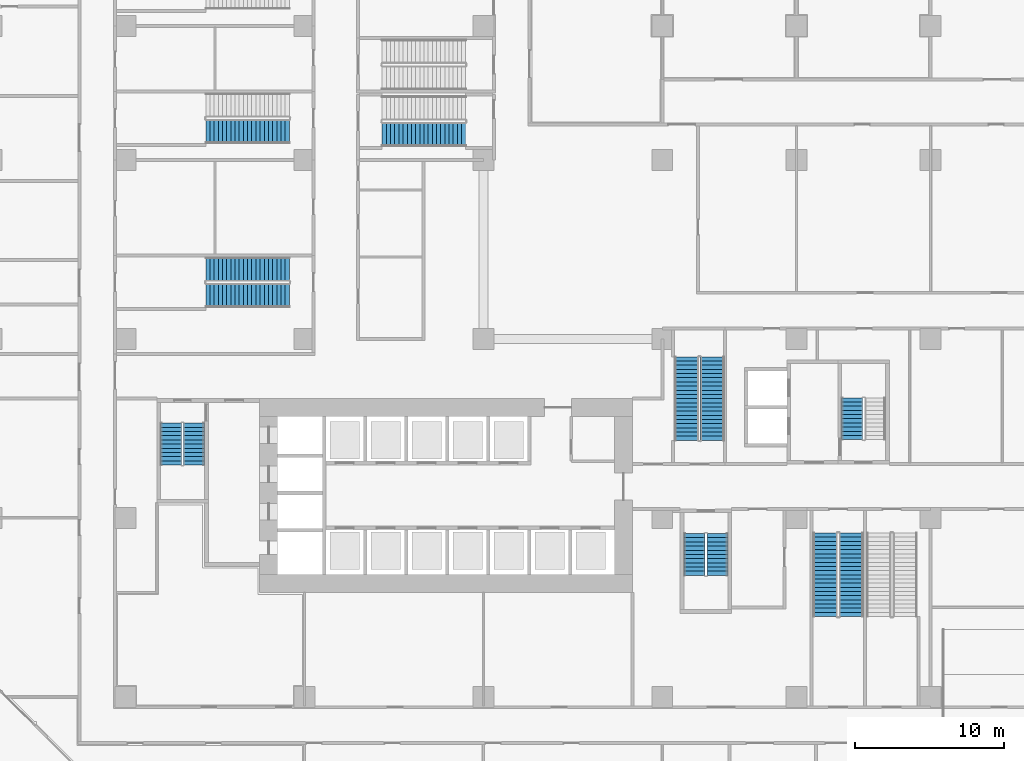
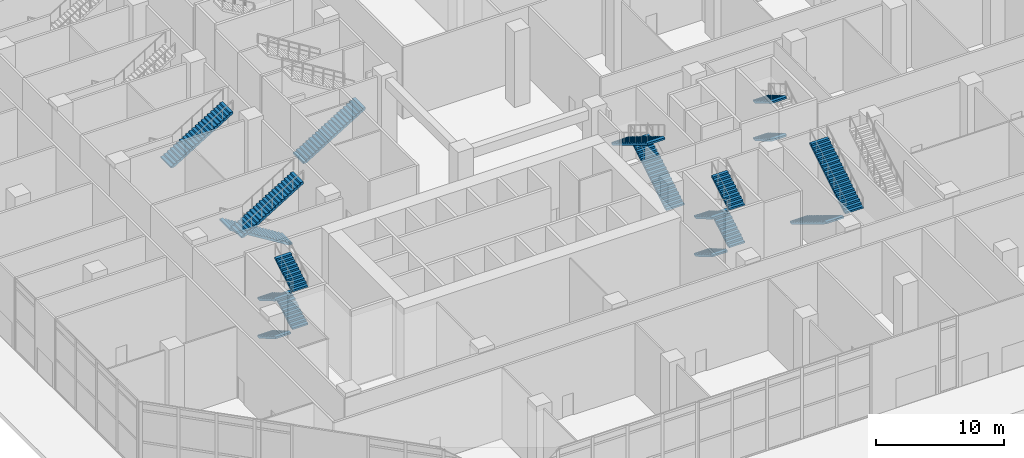
# One storey, part 27 of 34: 18 stair flights, 8 elements without a shape of their own.
"""IFC4 building model written with IfcOpenShell, lengths in metres."""

from ifc_helpers import new_model, si_unit, direction, frame, origin, place, context, subcontext, project, spatial, polyline, outline, extrude, material, type_object, element, aggregate, save


model = new_model("IFC4")

# Units and contexts
model_context = context("Model", 3, precision=1e-05, world=origin(), true_north=direction((0.0, 1.0)))
body_context = subcontext(model_context, "Body", "Model", "MODEL_VIEW")
ifc_project = project(units=[si_unit("LENGTHUNIT", "METRE"), si_unit("AREAUNIT", "SQUARE_METRE"), si_unit("VOLUMEUNIT", "CUBIC_METRE"), si_unit("PLANEANGLEUNIT", "RADIAN"), si_unit("MASSUNIT", "GRAM", prefix="KILO")], contexts=[model_context])

# Site, building, storey
site_placement = place(None, origin())
site = spatial("IfcSite", under=ifc_project, at=site_placement, CompositionType="ELEMENT")
building_placement = place(site_placement, origin())
building = spatial("IfcBuilding", under=site, at=building_placement, Name="Chenar Terraces", CompositionType="ELEMENT")
storey_placement = place(building_placement, origin())
storey = spatial("IfcBuildingStorey", under=building, at=storey_placement, Name="L00", CompositionType="ELEMENT", Elevation=0.0)

# Stair, stair flights
ifc_material_1 = material(Name="Reinforced concrete C40/50", Category="concrete")
stair_type = type_object("IfcStairType", Name="Core stair 1400 half-turn", PredefinedType="HALF_TURN_STAIR", material=ifc_material_1)
placement = place(storey_placement, origin())
stair_1 = element("IfcStair", 1, at=placement, inside=storey, type_object=stair_type, Name="L00 Stair 1", PredefinedType="HALF_TURN_STAIR")
ifc_material_2 = material(Name="Reinforced concrete C40/50", Category="concrete")
stair_flight_type = type_object("IfcStairFlightType", Name="Core stair flight 1400", PredefinedType="STRAIGHT", material=ifc_material_2)
stair_flight_1_placement = place(storey_placement, frame((3.050048828125, 18.35009765625, 0.0), z_axis=(0.0, 0.0, 1.0), x_axis=(0.0, -1.0, 0.0)))
stair_flight_1 = element("IfcStairFlight", 2, at=stair_flight_1_placement, type_object=stair_flight_type, Name="ST1 flight 1", NumberOfRisers=11, NumberOfTreads=10, PredefinedType="STRAIGHT", RiserHeight=0.163636364, TreadLength=0.28, context=body_context, shape_type="SweptSolid", body=[
    extrude(outline(polyline([(-0.0029296875, 0.0), (-0.0029296875, 0.16357421875), (0.0, 0.16357421875), (0.280029296875, 0.16357421875), (0.280029296875, 0.327392578125), (0.56005859375, 0.327392578125), (0.56005859375, 0.490966796875), (0.840087890625, 0.490966796875), (0.840087890625, 0.654541015625), (1.1201171875, 0.654541015625), (1.1201171875, 0.818115234375), (1.39990234375, 0.818115234375), (1.39990234375, 0.98193359375), (1.679931640625, 0.98193359375), (1.679931640625, 1.1455078125), (1.9599609375, 1.1455078125), (1.9599609375, 1.30908203125), (2.239990234375, 1.30908203125), (2.239990234375, 1.47265625), (2.52001953125, 1.47265625), (2.52001953125, 1.636474609375), (2.800048828125, 1.636474609375), (2.802978515625, 1.636474609375), (2.802978515625, 1.462646484375), (2.800048828125, 1.462646484375), (0.297119140625, 0.0), (-0.0029296875, 0.0)])), frame((0.0, 0.699951171875, 0.0), z_axis=(0.0, -1.0, 0.0), x_axis=(1.0, 0.0, 0.0)), (0.0, 0.0, 1.0), 1.39990234375),
])
stair_flight_2_placement = place(storey_placement, frame((4.60009765625, 15.550048828125, 1.800048828125), z_axis=(0.0, 0.0, 1.0), x_axis=(0.0, 1.0, 0.0)))
stair_flight_2 = element("IfcStairFlight", 3, at=stair_flight_2_placement, type_object=stair_flight_type, Name="ST1 flight 2", NumberOfRisers=11, NumberOfTreads=10, PredefinedType="STRAIGHT", RiserHeight=0.163636364, TreadLength=0.28, context=body_context, shape_type="SweptSolid", body=[
    extrude(outline(polyline([(-0.0029296875, 0.0), (-0.0029296875, 0.16357421875), (0.0, 0.16357421875), (0.280029296875, 0.16357421875), (0.280029296875, 0.327392578125), (0.56005859375, 0.327392578125), (0.56005859375, 0.490966796875), (0.840087890625, 0.490966796875), (0.840087890625, 0.654541015625), (1.1201171875, 0.654541015625), (1.1201171875, 0.818115234375), (1.39990234375, 0.818115234375), (1.39990234375, 0.98193359375), (1.679931640625, 0.98193359375), (1.679931640625, 1.1455078125), (1.9599609375, 1.1455078125), (1.9599609375, 1.30908203125), (2.239990234375, 1.30908203125), (2.239990234375, 1.47265625), (2.52001953125, 1.47265625), (2.52001953125, 1.636474609375), (2.800048828125, 1.636474609375), (2.802978515625, 1.636474609375), (2.802978515625, 1.462646484375), (2.800048828125, 1.462646484375), (0.297119140625, 0.0), (-0.0029296875, 0.0)])), frame((0.0, 0.699951171875, 0.0), z_axis=(0.0, -1.0, 0.0), x_axis=(1.0, 0.0, 0.0)), (0.0, 0.0, 1.0), 1.39990234375),
])
stair_flight_3_placement = place(storey_placement, frame((3.050048828125, 18.35009765625, 3.60009765625), z_axis=(0.0, 0.0, 1.0), x_axis=(0.0, -1.0, 0.0)))
stair_flight_3 = element("IfcStairFlight", 4, at=stair_flight_3_placement, type_object=stair_flight_type, Name="ST1 flight 3", NumberOfRisers=11, NumberOfTreads=10, PredefinedType="STRAIGHT", RiserHeight=0.163636364, TreadLength=0.28, context=body_context, shape_type="SweptSolid", body=[
    extrude(outline(polyline([(-0.0029296875, 0.0), (-0.0029296875, 0.16357421875), (0.0, 0.16357421875), (0.280029296875, 0.16357421875), (0.280029296875, 0.327392578125), (0.56005859375, 0.327392578125), (0.56005859375, 0.490966796875), (0.840087890625, 0.490966796875), (0.840087890625, 0.654541015625), (1.1201171875, 0.654541015625), (1.1201171875, 0.818115234375), (1.39990234375, 0.818115234375), (1.39990234375, 0.98193359375), (1.679931640625, 0.98193359375), (1.679931640625, 1.1455078125), (1.9599609375, 1.1455078125), (1.9599609375, 1.30908203125), (2.239990234375, 1.30908203125), (2.239990234375, 1.47265625), (2.52001953125, 1.47265625), (2.52001953125, 1.636474609375), (2.800048828125, 1.636474609375), (2.802978515625, 1.636474609375), (2.802978515625, 1.462646484375), (2.800048828125, 1.462646484375), (0.297119140625, 0.0), (-0.0029296875, 0.0)])), frame((0.0, 0.699951171875, 0.0), z_axis=(0.0, -1.0, 0.0), x_axis=(1.0, 0.0, 0.0)), (0.0, 0.0, 1.0), 1.39990234375),
])
stair_flight_4_placement = place(storey_placement, frame((4.60009765625, 15.550048828125, 5.39990234375), z_axis=(0.0, 0.0, 1.0), x_axis=(0.0, 1.0, 0.0)))
stair_flight_4 = element("IfcStairFlight", 5, at=stair_flight_4_placement, type_object=stair_flight_type, Name="ST1 flight 4", NumberOfRisers=11, NumberOfTreads=10, PredefinedType="STRAIGHT", RiserHeight=0.163636364, TreadLength=0.28, context=body_context, shape_type="SweptSolid", body=[
    extrude(outline(polyline([(-0.0029296875, 0.0), (-0.0029296875, 0.16357421875), (0.0, 0.16357421875), (0.280029296875, 0.16357421875), (0.280029296875, 0.327392578125), (0.56005859375, 0.327392578125), (0.56005859375, 0.490966796875), (0.840087890625, 0.490966796875), (0.840087890625, 0.654541015625), (1.1201171875, 0.654541015625), (1.1201171875, 0.818115234375), (1.39990234375, 0.818115234375), (1.39990234375, 0.98193359375), (1.679931640625, 0.98193359375), (1.679931640625, 1.1455078125), (1.9599609375, 1.1455078125), (1.9599609375, 1.30908203125), (2.239990234375, 1.30908203125), (2.239990234375, 1.47265625), (2.52001953125, 1.47265625), (2.52001953125, 1.636474609375), (2.800048828125, 1.636474609375), (2.802978515625, 1.636474609375), (2.802978515625, 1.462646484375), (2.800048828125, 1.462646484375), (0.297119140625, 0.0), (-0.0029296875, 0.0)])), frame((0.0, 0.699951171875, 0.0), z_axis=(0.0, -1.0, 0.0), x_axis=(1.0, 0.0, 0.0)), (0.0, 0.0, 1.0), 1.39990234375),
])
aggregate(stair_1, [stair_flight_1, stair_flight_2, stair_flight_3, stair_flight_4])

stair_2 = element("IfcStair", 6, at=placement, inside=storey, type_object=stair_type, Name="L00 Stair 2", PredefinedType="HALF_TURN_STAIR")
stair_flight_5_placement = place(storey_placement, frame((38.14990234375, 10.949951171875, 0.0), z_axis=(0.0, 0.0, 1.0), x_axis=(0.0, -1.0, 0.0)))
stair_flight_5 = element("IfcStairFlight", 7, at=stair_flight_5_placement, type_object=stair_flight_type, Name="ST2 flight 1", NumberOfRisers=11, NumberOfTreads=10, PredefinedType="STRAIGHT", RiserHeight=0.163636364, TreadLength=0.28, context=body_context, shape_type="SweptSolid", body=[
    extrude(outline(polyline([(-0.0029296875, 0.0), (-0.0029296875, 0.16357421875), (0.0, 0.16357421875), (0.280029296875, 0.16357421875), (0.280029296875, 0.327392578125), (0.56005859375, 0.327392578125), (0.56005859375, 0.490966796875), (0.840087890625, 0.490966796875), (0.840087890625, 0.654541015625), (1.1201171875, 0.654541015625), (1.1201171875, 0.818115234375), (1.39990234375, 0.818115234375), (1.39990234375, 0.98193359375), (1.679931640625, 0.98193359375), (1.679931640625, 1.1455078125), (1.9599609375, 1.1455078125), (1.9599609375, 1.30908203125), (2.239990234375, 1.30908203125), (2.239990234375, 1.47265625), (2.52001953125, 1.47265625), (2.52001953125, 1.636474609375), (2.800048828125, 1.636474609375), (2.802978515625, 1.636474609375), (2.802978515625, 1.462646484375), (2.800048828125, 1.462646484375), (0.297119140625, 0.0), (-0.0029296875, 0.0)])), frame((0.0, 0.699951171875, 0.0), z_axis=(0.0, -1.0, 0.0), x_axis=(1.0, 0.0, 0.0)), (0.0, 0.0, 1.0), 1.39990234375),
])
stair_flight_6_placement = place(storey_placement, frame((39.699951171875, 8.14990234375, 1.800048828125), z_axis=(0.0, 0.0, 1.0), x_axis=(0.0, 1.0, 0.0)))
stair_flight_6 = element("IfcStairFlight", 8, at=stair_flight_6_placement, type_object=stair_flight_type, Name="ST2 flight 2", NumberOfRisers=11, NumberOfTreads=10, PredefinedType="STRAIGHT", RiserHeight=0.163636364, TreadLength=0.28, context=body_context, shape_type="SweptSolid", body=[
    extrude(outline(polyline([(-0.0029296875, 0.0), (-0.0029296875, 0.16357421875), (0.0, 0.16357421875), (0.280029296875, 0.16357421875), (0.280029296875, 0.327392578125), (0.56005859375, 0.327392578125), (0.56005859375, 0.490966796875), (0.840087890625, 0.490966796875), (0.840087890625, 0.654541015625), (1.1201171875, 0.654541015625), (1.1201171875, 0.818115234375), (1.39990234375, 0.818115234375), (1.39990234375, 0.98193359375), (1.679931640625, 0.98193359375), (1.679931640625, 1.1455078125), (1.9599609375, 1.1455078125), (1.9599609375, 1.30908203125), (2.239990234375, 1.30908203125), (2.239990234375, 1.47265625), (2.52001953125, 1.47265625), (2.52001953125, 1.636474609375), (2.800048828125, 1.636474609375), (2.802978515625, 1.636474609375), (2.802978515625, 1.462646484375), (2.800048828125, 1.462646484375), (0.297119140625, 0.0), (-0.0029296875, 0.0)])), frame((0.0, 0.699951171875, 0.0), z_axis=(0.0, -1.0, 0.0), x_axis=(1.0, 0.0, 0.0)), (0.0, 0.0, 1.0), 1.39990234375),
])
stair_flight_7_placement = place(storey_placement, frame((38.14990234375, 10.949951171875, 3.60009765625), z_axis=(0.0, 0.0, 1.0), x_axis=(0.0, -1.0, 0.0)))
stair_flight_7 = element("IfcStairFlight", 9, at=stair_flight_7_placement, type_object=stair_flight_type, Name="ST2 flight 3", NumberOfRisers=11, NumberOfTreads=10, PredefinedType="STRAIGHT", RiserHeight=0.163636364, TreadLength=0.28, context=body_context, shape_type="SweptSolid", body=[
    extrude(outline(polyline([(-0.0029296875, 0.0), (-0.0029296875, 0.16357421875), (0.0, 0.16357421875), (0.280029296875, 0.16357421875), (0.280029296875, 0.327392578125), (0.56005859375, 0.327392578125), (0.56005859375, 0.490966796875), (0.840087890625, 0.490966796875), (0.840087890625, 0.654541015625), (1.1201171875, 0.654541015625), (1.1201171875, 0.818115234375), (1.39990234375, 0.818115234375), (1.39990234375, 0.98193359375), (1.679931640625, 0.98193359375), (1.679931640625, 1.1455078125), (1.9599609375, 1.1455078125), (1.9599609375, 1.30908203125), (2.239990234375, 1.30908203125), (2.239990234375, 1.47265625), (2.52001953125, 1.47265625), (2.52001953125, 1.636474609375), (2.800048828125, 1.636474609375), (2.802978515625, 1.636474609375), (2.802978515625, 1.462646484375), (2.800048828125, 1.462646484375), (0.297119140625, 0.0), (-0.0029296875, 0.0)])), frame((0.0, 0.699951171875, 0.0), z_axis=(0.0, -1.0, 0.0), x_axis=(1.0, 0.0, 0.0)), (0.0, 0.0, 1.0), 1.39990234375),
])
stair_flight_8_placement = place(storey_placement, frame((39.699951171875, 8.14990234375, 5.39990234375), z_axis=(0.0, 0.0, 1.0), x_axis=(0.0, 1.0, 0.0)))
stair_flight_8 = element("IfcStairFlight", 10, at=stair_flight_8_placement, type_object=stair_flight_type, Name="ST2 flight 4", NumberOfRisers=11, NumberOfTreads=10, PredefinedType="STRAIGHT", RiserHeight=0.163636364, TreadLength=0.28, context=body_context, shape_type="SweptSolid", body=[
    extrude(outline(polyline([(-0.0029296875, 0.0), (-0.0029296875, 0.16357421875), (0.0, 0.16357421875), (0.280029296875, 0.16357421875), (0.280029296875, 0.327392578125), (0.56005859375, 0.327392578125), (0.56005859375, 0.490966796875), (0.840087890625, 0.490966796875), (0.840087890625, 0.654541015625), (1.1201171875, 0.654541015625), (1.1201171875, 0.818115234375), (1.39990234375, 0.818115234375), (1.39990234375, 0.98193359375), (1.679931640625, 0.98193359375), (1.679931640625, 1.1455078125), (1.9599609375, 1.1455078125), (1.9599609375, 1.30908203125), (2.239990234375, 1.30908203125), (2.239990234375, 1.47265625), (2.52001953125, 1.47265625), (2.52001953125, 1.636474609375), (2.800048828125, 1.636474609375), (2.802978515625, 1.636474609375), (2.802978515625, 1.462646484375), (2.800048828125, 1.462646484375), (0.297119140625, 0.0), (-0.0029296875, 0.0)])), frame((0.0, 0.699951171875, 0.0), z_axis=(0.0, -1.0, 0.0), x_axis=(1.0, 0.0, 0.0)), (0.0, 0.0, 1.0), 1.39990234375),
])
aggregate(stair_2, [stair_flight_5, stair_flight_6, stair_flight_7, stair_flight_8])

stair_3 = element("IfcStair", 11, at=placement, inside=storey, type_object=stair_type, Name="L00 Stair 3", PredefinedType="HALF_TURN_STAIR")
stair_flight_9_placement = place(storey_placement, frame((48.72509765625, 20.050048828125, 1.800048828125), z_axis=(0.0, 0.0, 1.0), x_axis=(0.0, -1.0, 0.0)))
stair_flight_9 = element("IfcStairFlight", 12, at=stair_flight_9_placement, type_object=stair_flight_type, Name="ST3 flight 2", NumberOfRisers=11, NumberOfTreads=10, PredefinedType="STRAIGHT", RiserHeight=0.163636364, TreadLength=0.28, context=body_context, shape_type="SweptSolid", body=[
    extrude(outline(polyline([(-0.0029296875, 0.0), (-0.0029296875, 0.16357421875), (0.0, 0.16357421875), (0.280029296875, 0.16357421875), (0.280029296875, 0.327392578125), (0.56005859375, 0.327392578125), (0.56005859375, 0.490966796875), (0.840087890625, 0.490966796875), (0.840087890625, 0.654541015625), (1.1201171875, 0.654541015625), (1.1201171875, 0.818115234375), (1.39990234375, 0.818115234375), (1.39990234375, 0.98193359375), (1.679931640625, 0.98193359375), (1.679931640625, 1.1455078125), (1.9599609375, 1.1455078125), (1.9599609375, 1.30908203125), (2.239990234375, 1.30908203125), (2.239990234375, 1.47265625), (2.52001953125, 1.47265625), (2.52001953125, 1.636474609375), (2.800048828125, 1.636474609375), (2.802978515625, 1.636474609375), (2.802978515625, 1.462646484375), (2.800048828125, 1.462646484375), (0.297119140625, 0.0), (-0.0029296875, 0.0)])), frame((0.0, 0.699951171875, 0.0), z_axis=(0.0, -1.0, 0.0), x_axis=(1.0, 0.0, 0.0)), (0.0, 0.0, 1.0), 1.39990234375),
])
stair_flight_10_placement = place(storey_placement, frame((48.72509765625, 20.050048828125, 5.39990234375), z_axis=(0.0, 0.0, 1.0), x_axis=(0.0, -1.0, 0.0)))
stair_flight_10 = element("IfcStairFlight", 13, at=stair_flight_10_placement, type_object=stair_flight_type, Name="ST3 flight 4", NumberOfRisers=11, NumberOfTreads=10, PredefinedType="STRAIGHT", RiserHeight=0.163636364, TreadLength=0.28, context=body_context, shape_type="SweptSolid", body=[
    extrude(outline(polyline([(-0.0029296875, 0.0), (-0.0029296875, 0.16357421875), (0.0, 0.16357421875), (0.280029296875, 0.16357421875), (0.280029296875, 0.327392578125), (0.56005859375, 0.327392578125), (0.56005859375, 0.490966796875), (0.840087890625, 0.490966796875), (0.840087890625, 0.654541015625), (1.1201171875, 0.654541015625), (1.1201171875, 0.818115234375), (1.39990234375, 0.818115234375), (1.39990234375, 0.98193359375), (1.679931640625, 0.98193359375), (1.679931640625, 1.1455078125), (1.9599609375, 1.1455078125), (1.9599609375, 1.30908203125), (2.239990234375, 1.30908203125), (2.239990234375, 1.47265625), (2.52001953125, 1.47265625), (2.52001953125, 1.636474609375), (2.800048828125, 1.636474609375), (2.802978515625, 1.636474609375), (2.802978515625, 1.462646484375), (2.800048828125, 1.462646484375), (0.297119140625, 0.0), (-0.0029296875, 0.0)])), frame((0.0, 0.699951171875, 0.0), z_axis=(0.0, -1.0, 0.0), x_axis=(1.0, 0.0, 0.0)), (0.0, 0.0, 1.0), 1.39990234375),
])
aggregate(stair_3, [stair_flight_9, stair_flight_10])

stair_4 = element("IfcStair", 14, at=placement, inside=storey, type_object=stair_type, Name="L00 Exit stair PS1", PredefinedType="HALF_TURN_STAIR")
stair_flight_11_placement = place(storey_placement, frame((39.375, 17.199951171875, 0.0), z_axis=(0.0, 0.0, 1.0), x_axis=(0.0, 1.0, 0.0)))
stair_flight_11 = element("IfcStairFlight", 15, at=stair_flight_11_placement, type_object=stair_flight_type, Name="PS1 flight 1", NumberOfRisers=21, NumberOfTreads=20, PredefinedType="STRAIGHT", RiserHeight=0.171428571, TreadLength=0.28, context=body_context, shape_type="SweptSolid", body=[
    extrude(outline(polyline([(-0.0029296875, 0.0), (-0.0029296875, 0.17138671875), (0.0, 0.17138671875), (0.280029296875, 0.17138671875), (0.280029296875, 0.3427734375), (0.56005859375, 0.3427734375), (0.56005859375, 0.514404296875), (0.840087890625, 0.514404296875), (0.840087890625, 0.685791015625), (1.1201171875, 0.685791015625), (1.1201171875, 0.857177734375), (1.39990234375, 0.857177734375), (1.39990234375, 1.028564453125), (1.679931640625, 1.028564453125), (1.679931640625, 1.199951171875), (1.9599609375, 1.199951171875), (1.9599609375, 1.371337890625), (2.239990234375, 1.371337890625), (2.239990234375, 1.54296875), (2.52001953125, 1.54296875), (2.52001953125, 1.71435546875), (2.800048828125, 1.71435546875), (2.800048828125, 1.8857421875), (3.080078125, 1.8857421875), (3.080078125, 2.05712890625), (3.360107421875, 2.05712890625), (3.360107421875, 2.228515625), (3.639892578125, 2.228515625), (3.639892578125, 2.39990234375), (3.919921875, 2.39990234375), (3.919921875, 2.571533203125), (4.199951171875, 2.571533203125), (4.199951171875, 2.742919921875), (4.47998046875, 2.742919921875), (4.47998046875, 2.914306640625), (4.760009765625, 2.914306640625), (4.760009765625, 3.085693359375), (5.0400390625, 3.085693359375), (5.0400390625, 3.257080078125), (5.320068359375, 3.257080078125), (5.320068359375, 3.428466796875), (5.60009765625, 3.428466796875), (5.60302734375, 3.428466796875), (5.60302734375, 3.252685546875), (5.60009765625, 3.252685546875), (0.287109375, 0.0), (-0.0029296875, 0.0)])), frame((0.0, 0.800048828125, 0.0), z_axis=(0.0, -1.0, 0.0), x_axis=(1.0, 0.0, 0.0)), (0.0, 0.0, 1.0), 1.60009765625),
])
stair_flight_12_placement = place(storey_placement, frame((37.625, 22.800048828125, 3.60009765625), z_axis=(0.0, 0.0, 1.0), x_axis=(0.0, -1.0, 0.0)))
stair_flight_12 = element("IfcStairFlight", 16, at=stair_flight_12_placement, type_object=stair_flight_type, Name="PS1 flight 2", NumberOfRisers=21, NumberOfTreads=20, PredefinedType="STRAIGHT", RiserHeight=0.171428571, TreadLength=0.28, context=body_context, shape_type="SweptSolid", body=[
    extrude(outline(polyline([(-0.0029296875, 0.0), (-0.0029296875, 0.17138671875), (0.0, 0.17138671875), (0.280029296875, 0.17138671875), (0.280029296875, 0.3427734375), (0.56005859375, 0.3427734375), (0.56005859375, 0.514404296875), (0.840087890625, 0.514404296875), (0.840087890625, 0.685791015625), (1.1201171875, 0.685791015625), (1.1201171875, 0.857177734375), (1.39990234375, 0.857177734375), (1.39990234375, 1.028564453125), (1.679931640625, 1.028564453125), (1.679931640625, 1.199951171875), (1.9599609375, 1.199951171875), (1.9599609375, 1.371337890625), (2.239990234375, 1.371337890625), (2.239990234375, 1.54296875), (2.52001953125, 1.54296875), (2.52001953125, 1.71435546875), (2.800048828125, 1.71435546875), (2.800048828125, 1.8857421875), (3.080078125, 1.8857421875), (3.080078125, 2.05712890625), (3.360107421875, 2.05712890625), (3.360107421875, 2.228515625), (3.639892578125, 2.228515625), (3.639892578125, 2.39990234375), (3.919921875, 2.39990234375), (3.919921875, 2.571533203125), (4.199951171875, 2.571533203125), (4.199951171875, 2.742919921875), (4.47998046875, 2.742919921875), (4.47998046875, 2.914306640625), (4.760009765625, 2.914306640625), (4.760009765625, 3.085693359375), (5.0400390625, 3.085693359375), (5.0400390625, 3.257080078125), (5.320068359375, 3.257080078125), (5.320068359375, 3.428466796875), (5.60009765625, 3.428466796875), (5.60302734375, 3.428466796875), (5.60302734375, 3.252685546875), (5.60009765625, 3.252685546875), (0.287109375, 0.0), (-0.0029296875, 0.0)])), frame((0.0, 0.800048828125, 0.0), z_axis=(0.0, -1.0, 0.0), x_axis=(1.0, 0.0, 0.0)), (0.0, 0.0, 1.0), 1.60009765625),
])
aggregate(stair_4, [stair_flight_11, stair_flight_12])

stair_5 = element("IfcStair", 17, at=placement, inside=storey, type_object=stair_type, Name="L00 Exit stair PS5", PredefinedType="HALF_TURN_STAIR")
stair_flight_13_placement = place(storey_placement, frame((10.985107421875, 28.6826171875, 0.0), z_axis=(0.0, 0.0, 1.0), x_axis=(-1.0, 0.0, 0.0)))
stair_flight_13 = element("IfcStairFlight", 18, at=stair_flight_13_placement, type_object=stair_flight_type, Name="PS5 flight 1", NumberOfRisers=21, NumberOfTreads=20, PredefinedType="STRAIGHT", RiserHeight=0.171428571, TreadLength=0.28, context=body_context, shape_type="SweptSolid", body=[
    extrude(outline(polyline([(-0.0029296875, 0.0), (-0.0029296875, 0.17138671875), (0.0, 0.17138671875), (0.280029296875, 0.17138671875), (0.280029296875, 0.3427734375), (0.56005859375, 0.3427734375), (0.56005859375, 0.514404296875), (0.840087890625, 0.514404296875), (0.840087890625, 0.685791015625), (1.1201171875, 0.685791015625), (1.1201171875, 0.857177734375), (1.39990234375, 0.857177734375), (1.39990234375, 1.028564453125), (1.679931640625, 1.028564453125), (1.679931640625, 1.199951171875), (1.9599609375, 1.199951171875), (1.9599609375, 1.371337890625), (2.239990234375, 1.371337890625), (2.239990234375, 1.54296875), (2.52001953125, 1.54296875), (2.52001953125, 1.71435546875), (2.800048828125, 1.71435546875), (2.800048828125, 1.8857421875), (3.080078125, 1.8857421875), (3.080078125, 2.05712890625), (3.360107421875, 2.05712890625), (3.360107421875, 2.228515625), (3.639892578125, 2.228515625), (3.639892578125, 2.39990234375), (3.919921875, 2.39990234375), (3.919921875, 2.571533203125), (4.199951171875, 2.571533203125), (4.199951171875, 2.742919921875), (4.47998046875, 2.742919921875), (4.47998046875, 2.914306640625), (4.760009765625, 2.914306640625), (4.760009765625, 3.085693359375), (5.0400390625, 3.085693359375), (5.0400390625, 3.257080078125), (5.320068359375, 3.257080078125), (5.320068359375, 3.428466796875), (5.60009765625, 3.428466796875), (5.60302734375, 3.428466796875), (5.60302734375, 3.252685546875), (5.60009765625, 3.252685546875), (0.287109375, 0.0), (-0.0029296875, 0.0)])), frame((0.0, 0.8076171875, 0.0), z_axis=(0.0, -1.0, 0.0), x_axis=(1.0, 0.0, 0.0)), (0.0, 0.0, 1.0), 1.614990234375),
])
stair_flight_14_placement = place(storey_placement, frame((5.385009765625, 26.91748046875, 3.60009765625), z_axis=(0.0, 0.0, 1.0), x_axis=(1.0, 0.0, 0.0)))
stair_flight_14 = element("IfcStairFlight", 19, at=stair_flight_14_placement, type_object=stair_flight_type, Name="PS5 flight 2", NumberOfRisers=21, NumberOfTreads=20, PredefinedType="STRAIGHT", RiserHeight=0.171428571, TreadLength=0.28, context=body_context, shape_type="SweptSolid", body=[
    extrude(outline(polyline([(-0.0029296875, 0.0), (-0.0029296875, 0.17138671875), (0.0, 0.17138671875), (0.280029296875, 0.17138671875), (0.280029296875, 0.3427734375), (0.56005859375, 0.3427734375), (0.56005859375, 0.514404296875), (0.840087890625, 0.514404296875), (0.840087890625, 0.685791015625), (1.1201171875, 0.685791015625), (1.1201171875, 0.857177734375), (1.39990234375, 0.857177734375), (1.39990234375, 1.028564453125), (1.679931640625, 1.028564453125), (1.679931640625, 1.199951171875), (1.9599609375, 1.199951171875), (1.9599609375, 1.371337890625), (2.239990234375, 1.371337890625), (2.239990234375, 1.54296875), (2.52001953125, 1.54296875), (2.52001953125, 1.71435546875), (2.800048828125, 1.71435546875), (2.800048828125, 1.8857421875), (3.080078125, 1.8857421875), (3.080078125, 2.05712890625), (3.360107421875, 2.05712890625), (3.360107421875, 2.228515625), (3.639892578125, 2.228515625), (3.639892578125, 2.39990234375), (3.919921875, 2.39990234375), (3.919921875, 2.571533203125), (4.199951171875, 2.571533203125), (4.199951171875, 2.742919921875), (4.47998046875, 2.742919921875), (4.47998046875, 2.914306640625), (4.760009765625, 2.914306640625), (4.760009765625, 3.085693359375), (5.0400390625, 3.085693359375), (5.0400390625, 3.257080078125), (5.320068359375, 3.257080078125), (5.320068359375, 3.428466796875), (5.60009765625, 3.428466796875), (5.60302734375, 3.428466796875), (5.60302734375, 3.252685546875), (5.60009765625, 3.252685546875), (0.287109375, 0.0), (-0.0029296875, 0.0)])), frame((0.0, 0.8076171875, 0.0), z_axis=(0.0, -1.0, 0.0), x_axis=(1.0, 0.0, 0.0)), (0.0, 0.0, 1.0), 1.614990234375),
])
aggregate(stair_5, [stair_flight_13, stair_flight_14])

stair_6 = element("IfcStair", 20, at=placement, inside=storey, type_object=stair_type, Name="L00 Exit stair PS6", PredefinedType="HALF_TURN_STAIR")
stair_flight_15_placement = place(storey_placement, frame((46.91748046875, 10.985107421875, 0.0), z_axis=(0.0, 0.0, 1.0), x_axis=(0.0, -1.0, 0.0)))
stair_flight_15 = element("IfcStairFlight", 21, at=stair_flight_15_placement, type_object=stair_flight_type, Name="PS6 flight 1", NumberOfRisers=21, NumberOfTreads=20, PredefinedType="STRAIGHT", RiserHeight=0.171428571, TreadLength=0.28, context=body_context, shape_type="SweptSolid", body=[
    extrude(outline(polyline([(-0.0029296875, 0.0), (-0.0029296875, 0.17138671875), (0.0, 0.17138671875), (0.280029296875, 0.17138671875), (0.280029296875, 0.3427734375), (0.56005859375, 0.3427734375), (0.56005859375, 0.514404296875), (0.840087890625, 0.514404296875), (0.840087890625, 0.685791015625), (1.1201171875, 0.685791015625), (1.1201171875, 0.857177734375), (1.39990234375, 0.857177734375), (1.39990234375, 1.028564453125), (1.679931640625, 1.028564453125), (1.679931640625, 1.199951171875), (1.9599609375, 1.199951171875), (1.9599609375, 1.371337890625), (2.239990234375, 1.371337890625), (2.239990234375, 1.54296875), (2.52001953125, 1.54296875), (2.52001953125, 1.71435546875), (2.800048828125, 1.71435546875), (2.800048828125, 1.8857421875), (3.080078125, 1.8857421875), (3.080078125, 2.05712890625), (3.360107421875, 2.05712890625), (3.360107421875, 2.228515625), (3.639892578125, 2.228515625), (3.639892578125, 2.39990234375), (3.919921875, 2.39990234375), (3.919921875, 2.571533203125), (4.199951171875, 2.571533203125), (4.199951171875, 2.742919921875), (4.47998046875, 2.742919921875), (4.47998046875, 2.914306640625), (4.760009765625, 2.914306640625), (4.760009765625, 3.085693359375), (5.0400390625, 3.085693359375), (5.0400390625, 3.257080078125), (5.320068359375, 3.257080078125), (5.320068359375, 3.428466796875), (5.60009765625, 3.428466796875), (5.60302734375, 3.428466796875), (5.60302734375, 3.252685546875), (5.60009765625, 3.252685546875), (0.287109375, 0.0), (-0.0029296875, 0.0)])), frame((0.0, 0.8076171875, 0.0), z_axis=(0.0, -1.0, 0.0), x_axis=(1.0, 0.0, 0.0)), (0.0, 0.0, 1.0), 1.614990234375),
])
stair_flight_16_placement = place(storey_placement, frame((48.6826171875, 5.385009765625, 3.60009765625), z_axis=(0.0, 0.0, 1.0), x_axis=(0.0, 1.0, 0.0)))
stair_flight_16 = element("IfcStairFlight", 22, at=stair_flight_16_placement, type_object=stair_flight_type, Name="PS6 flight 2", NumberOfRisers=21, NumberOfTreads=20, PredefinedType="STRAIGHT", RiserHeight=0.171428571, TreadLength=0.28, context=body_context, shape_type="SweptSolid", body=[
    extrude(outline(polyline([(-0.0029296875, 0.0), (-0.0029296875, 0.17138671875), (0.0, 0.17138671875), (0.280029296875, 0.17138671875), (0.280029296875, 0.3427734375), (0.56005859375, 0.3427734375), (0.56005859375, 0.514404296875), (0.840087890625, 0.514404296875), (0.840087890625, 0.685791015625), (1.1201171875, 0.685791015625), (1.1201171875, 0.857177734375), (1.39990234375, 0.857177734375), (1.39990234375, 1.028564453125), (1.679931640625, 1.028564453125), (1.679931640625, 1.199951171875), (1.9599609375, 1.199951171875), (1.9599609375, 1.371337890625), (2.239990234375, 1.371337890625), (2.239990234375, 1.54296875), (2.52001953125, 1.54296875), (2.52001953125, 1.71435546875), (2.800048828125, 1.71435546875), (2.800048828125, 1.8857421875), (3.080078125, 1.8857421875), (3.080078125, 2.05712890625), (3.360107421875, 2.05712890625), (3.360107421875, 2.228515625), (3.639892578125, 2.228515625), (3.639892578125, 2.39990234375), (3.919921875, 2.39990234375), (3.919921875, 2.571533203125), (4.199951171875, 2.571533203125), (4.199951171875, 2.742919921875), (4.47998046875, 2.742919921875), (4.47998046875, 2.914306640625), (4.760009765625, 2.914306640625), (4.760009765625, 3.085693359375), (5.0400390625, 3.085693359375), (5.0400390625, 3.257080078125), (5.320068359375, 3.257080078125), (5.320068359375, 3.428466796875), (5.60009765625, 3.428466796875), (5.60302734375, 3.428466796875), (5.60302734375, 3.252685546875), (5.60009765625, 3.252685546875), (0.287109375, 0.0), (-0.0029296875, 0.0)])), frame((0.0, 0.8076171875, 0.0), z_axis=(0.0, -1.0, 0.0), x_axis=(1.0, 0.0, 0.0)), (0.0, 0.0, 1.0), 1.614990234375),
])
aggregate(stair_6, [stair_flight_15, stair_flight_16])

# Stair, stair flight
stair_7 = element("IfcStair", 23, at=placement, inside=storey, type_object=stair_type, Name="L00 Exit stair PS7", PredefinedType="HALF_TURN_STAIR")
stair_flight_17_placement = place(storey_placement, frame((17.215087890625, 37.717529296875, 0.0), z_axis=(0.0, 0.0, 1.0), x_axis=(1.0, 0.0, 0.0)))
stair_flight_17 = element("IfcStairFlight", 24, at=stair_flight_17_placement, type_object=stair_flight_type, Name="PS7 flight 1", NumberOfRisers=21, NumberOfTreads=20, PredefinedType="STRAIGHT", RiserHeight=0.171428571, TreadLength=0.28, context=body_context, shape_type="SweptSolid", body=[
    extrude(outline(polyline([(-0.0029296875, 0.0), (-0.0029296875, 0.17138671875), (0.0, 0.17138671875), (0.280029296875, 0.17138671875), (0.280029296875, 0.3427734375), (0.56005859375, 0.3427734375), (0.56005859375, 0.514404296875), (0.840087890625, 0.514404296875), (0.840087890625, 0.685791015625), (1.1201171875, 0.685791015625), (1.1201171875, 0.857177734375), (1.39990234375, 0.857177734375), (1.39990234375, 1.028564453125), (1.679931640625, 1.028564453125), (1.679931640625, 1.199951171875), (1.9599609375, 1.199951171875), (1.9599609375, 1.371337890625), (2.239990234375, 1.371337890625), (2.239990234375, 1.54296875), (2.52001953125, 1.54296875), (2.52001953125, 1.71435546875), (2.800048828125, 1.71435546875), (2.800048828125, 1.8857421875), (3.080078125, 1.8857421875), (3.080078125, 2.05712890625), (3.360107421875, 2.05712890625), (3.360107421875, 2.228515625), (3.639892578125, 2.228515625), (3.639892578125, 2.39990234375), (3.919921875, 2.39990234375), (3.919921875, 2.571533203125), (4.199951171875, 2.571533203125), (4.199951171875, 2.742919921875), (4.47998046875, 2.742919921875), (4.47998046875, 2.914306640625), (4.760009765625, 2.914306640625), (4.760009765625, 3.085693359375), (5.0400390625, 3.085693359375), (5.0400390625, 3.257080078125), (5.320068359375, 3.257080078125), (5.320068359375, 3.428466796875), (5.60009765625, 3.428466796875), (5.60302734375, 3.428466796875), (5.60302734375, 3.252685546875), (5.60009765625, 3.252685546875), (0.287109375, 0.0), (-0.0029296875, 0.0)])), frame((0.0, 0.8076171875, 0.0), z_axis=(0.0, -1.0, 0.0), x_axis=(1.0, 0.0, 0.0)), (0.0, 0.0, 1.0), 1.614990234375),
])
aggregate(stair_7, [stair_flight_17])

stair_8 = element("IfcStair", 25, at=placement, inside=storey, type_object=stair_type, Name="L00 Exit stair PS9", PredefinedType="HALF_TURN_STAIR")
stair_flight_18_placement = place(storey_placement, frame((5.385009765625, 37.91748046875, 3.60009765625), z_axis=(0.0, 0.0, 1.0), x_axis=(1.0, 0.0, 0.0)))
stair_flight_18 = element("IfcStairFlight", 26, at=stair_flight_18_placement, type_object=stair_flight_type, Name="PS9 flight 2", NumberOfRisers=21, NumberOfTreads=20, PredefinedType="STRAIGHT", RiserHeight=0.171428571, TreadLength=0.28, context=body_context, shape_type="SweptSolid", body=[
    extrude(outline(polyline([(-0.0029296875, 0.0), (-0.0029296875, 0.17138671875), (0.0, 0.17138671875), (0.280029296875, 0.17138671875), (0.280029296875, 0.3427734375), (0.56005859375, 0.3427734375), (0.56005859375, 0.514404296875), (0.840087890625, 0.514404296875), (0.840087890625, 0.685791015625), (1.1201171875, 0.685791015625), (1.1201171875, 0.857177734375), (1.39990234375, 0.857177734375), (1.39990234375, 1.028564453125), (1.679931640625, 1.028564453125), (1.679931640625, 1.199951171875), (1.9599609375, 1.199951171875), (1.9599609375, 1.371337890625), (2.239990234375, 1.371337890625), (2.239990234375, 1.54296875), (2.52001953125, 1.54296875), (2.52001953125, 1.71435546875), (2.800048828125, 1.71435546875), (2.800048828125, 1.8857421875), (3.080078125, 1.8857421875), (3.080078125, 2.05712890625), (3.360107421875, 2.05712890625), (3.360107421875, 2.228515625), (3.639892578125, 2.228515625), (3.639892578125, 2.39990234375), (3.919921875, 2.39990234375), (3.919921875, 2.571533203125), (4.199951171875, 2.571533203125), (4.199951171875, 2.742919921875), (4.47998046875, 2.742919921875), (4.47998046875, 2.914306640625), (4.760009765625, 2.914306640625), (4.760009765625, 3.085693359375), (5.0400390625, 3.085693359375), (5.0400390625, 3.257080078125), (5.320068359375, 3.257080078125), (5.320068359375, 3.428466796875), (5.60009765625, 3.428466796875), (5.60302734375, 3.428466796875), (5.60302734375, 3.252685546875), (5.60009765625, 3.252685546875), (0.287109375, 0.0), (-0.0029296875, 0.0)])), frame((0.0, 0.8076171875, 0.0), z_axis=(0.0, -1.0, 0.0), x_axis=(1.0, 0.0, 0.0)), (0.0, 0.0, 1.0), 1.614990234375),
])
aggregate(stair_8, [stair_flight_18])

save(model, "model.ifc")
